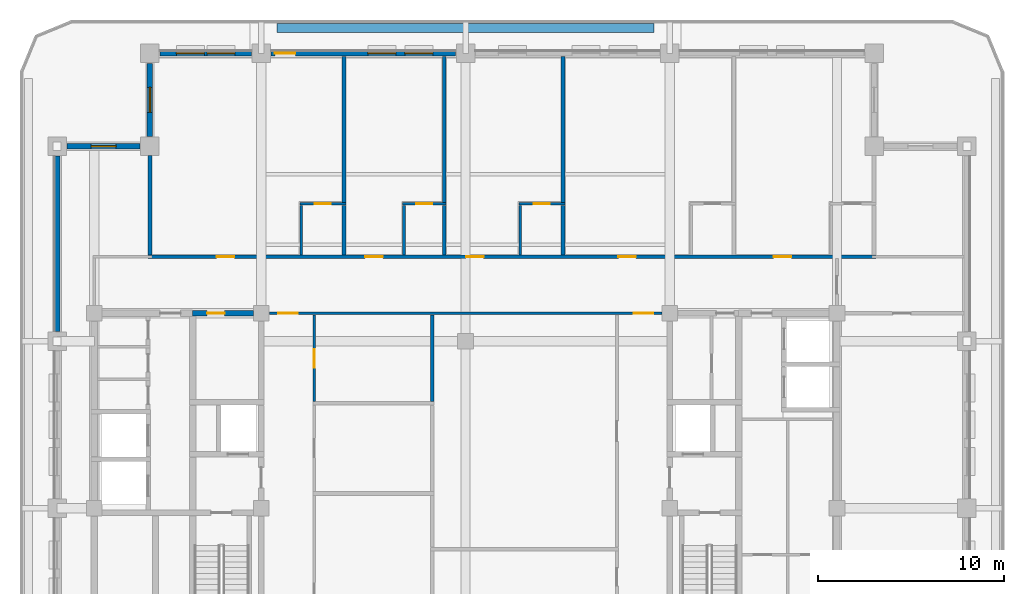
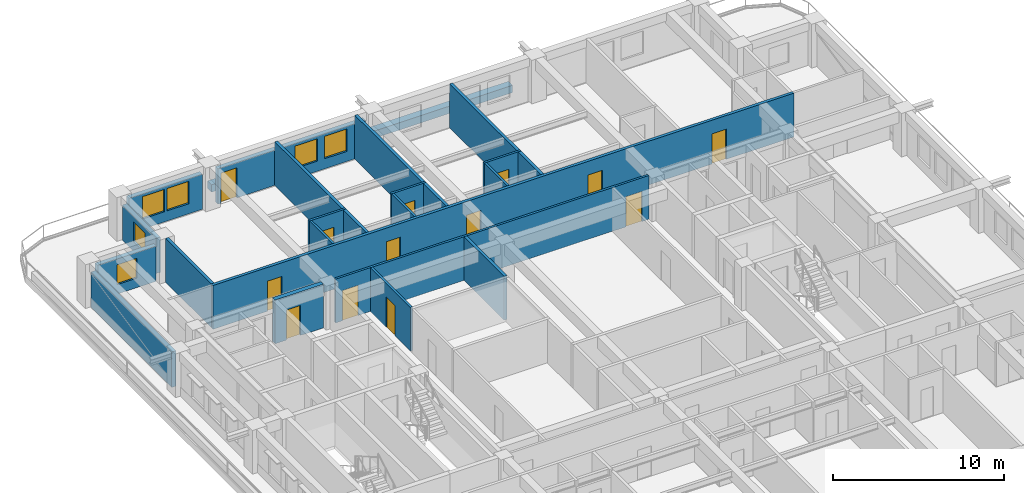
# One storey, part 6 of 15: 24 walls, 13 doors, 6 windows, 19 openings.
"""IFC4 building model written with IfcOpenShell, lengths in metres."""

from ifc_helpers import new_model, si_unit, direction, frame, frame_2d, origin, place, context, subcontext, project, spatial, rectangle, extrude, material, layer, layer_set, type_object, element, fill, save


model = new_model("IFC4")

# Units and contexts
model_context = context("Model", 3, precision=1e-05, world=origin(), true_north=direction((0.0, 1.0)))
body_context = subcontext(model_context, "Body", "Model", "MODEL_VIEW")
ifc_project = project(units=[si_unit("LENGTHUNIT", "METRE"), si_unit("AREAUNIT", "SQUARE_METRE"), si_unit("VOLUMEUNIT", "CUBIC_METRE"), si_unit("PLANEANGLEUNIT", "RADIAN"), si_unit("MASSUNIT", "GRAM", prefix="KILO")], contexts=[model_context])

# Site, building, storey
site_placement = place(None, origin())
site = spatial("IfcSite", under=ifc_project, at=site_placement, CompositionType="ELEMENT")
building_placement = place(site_placement, origin())
building = spatial("IfcBuilding", under=site, at=building_placement, Name="Zulmaris Gate Convention Tower", CompositionType="ELEMENT")
storey_placement = place(building_placement, frame((0.0, 0.0, 172.85986328125)))
storey = spatial("IfcBuildingStorey", under=building, at=storey_placement, Name="L44", CompositionType="ELEMENT", Elevation=172.85986328125)

# Wall, opening, door
ifc_material_1 = material(Name="Concrete C50/60", Category="concrete")
ifc_layer_1 = layer(ifc_material_1, 0.300048828125, Name="Concrete C50/60")
ifc_layer_set_1 = layer_set([ifc_layer_1], Name="Concrete C50/60")
wall_type_1 = type_object("IfcWallType", Name="CORE-300", PredefinedType="SHEAR", material=ifc_layer_set_1)
wall_1_placement = place(storey_placement, frame((-14.699951171875, 10.5, 0.0), z_axis=(0.0, 0.0, 1.0), x_axis=(1.0, 0.0, 0.0)))
wall_1 = element("IfcWall", 1, at=wall_1_placement, inside=storey, type_object=wall_type_1, Name="WL-L44-016", PredefinedType="SHEAR", context=body_context, shape_type="SweptSolid", body=[
    extrude(rectangle(XDim=3.27099609375, YDim=0.300048828125, at=frame_2d((1.635498046875, 0.0))), origin(), (0.0, 0.0, 1.0), 3.125),
])
opening_1_placement = place(wall_1_placement, frame((0.77490234375, 0.0, 0.0)))
opening_1 = element("IfcOpeningElement", 2, at=opening_1_placement, cuts=wall_1, Name="Opening D-11", PredefinedType="OPENING", context=body_context, shape_type="SweptSolid", body=[
    extrude(rectangle(XDim=0.949951171875, YDim=2.14990234375, at=frame_2d((0.47509765625, 1.074951171875))), frame((0.0, 0.16015625, 0.0), z_axis=(0.0, -1.0, 0.0), x_axis=(1.0, 0.0, 0.0)), (0.0, 0.0, 1.0), 0.320068359375),
])
ifc_material_2 = material(Name="Fire-Rated Timber", Category="wood")
door_type_1 = type_object("IfcDoorType", Name="DR-950-FD", OperationType="NOTDEFINED", PredefinedType="DOOR", material=ifc_material_2)
door_1_placement = place(opening_1_placement, origin())
door_1 = element("IfcDoor", 3, at=door_1_placement, inside=storey, type_object=door_type_1, Name="L44 Core Archive Door 07", OperationType="SINGLE_SWING_RIGHT", OverallHeight=2.14990234375, OverallWidth=0.949951171875, PredefinedType="DOOR", context=body_context, shape_type="SweptSolid", body=[
    extrude(rectangle(XDim=0.949951171875, YDim=2.14990234375, at=frame_2d((0.47509765625, 1.074951171875))), frame((0.0, 0.02490234375, 0.0), z_axis=(0.0, -1.0, 0.0), x_axis=(1.0, 0.0, 0.0)), (0.0, 0.0, 1.0), 0.050048828125),
])
fill(opening_1, door_1)

# Wall, openings, doors
ifc_material_3 = material(Name="Gypsum Metal Stud Partition")
ifc_layer_2 = layer(ifc_material_3, 0.14990234375, Name="Gypsum Metal Stud Partition")
ifc_layer_set_2 = layer_set([ifc_layer_2], Name="Gypsum Metal Stud Partition")
wall_type_2 = type_object("IfcWallType", Name="PART-150", PredefinedType="PARTITIONING", material=ifc_layer_set_2)
wall_2_placement = place(storey_placement, frame((-10.569091796875, 10.5, 0.0), z_axis=(0.0, 0.0, 1.0), x_axis=(1.0, 0.0, 0.0)))
wall_2 = element("IfcWall", 4, at=wall_2_placement, inside=storey, type_object=wall_type_2, Name="WL-L44-036", PredefinedType="PARTITIONING", context=body_context, shape_type="SweptSolid", body=[
    extrude(rectangle(XDim=21.13818359375, YDim=0.14990234375, at=frame_2d((10.569091796875, 0.0))), origin(), (0.0, 0.0, 1.0), 3.125),
])
opening_2_placement = place(wall_2_placement, frame((0.47412109375, 0.0, 0.0)))
opening_2 = element("IfcOpeningElement", 5, at=opening_2_placement, cuts=wall_2, Name="Opening D-09", PredefinedType="OPENING", context=body_context, shape_type="SweptSolid", body=[
    extrude(rectangle(XDim=1.050048828125, YDim=2.14990234375, at=frame_2d((0.52490234375, 1.074951171875))), frame((0.0, 0.0849609375, 0.0), z_axis=(0.0, -1.0, 0.0), x_axis=(1.0, 0.0, 0.0)), (0.0, 0.0, 1.0), 0.169921875),
])
opening_3_placement = place(wall_2_placement, frame((19.614013671875, 0.0, 0.0)))
opening_3 = element("IfcOpeningElement", 6, at=opening_3_placement, cuts=wall_2, Name="Opening D-09", PredefinedType="OPENING", context=body_context, shape_type="SweptSolid", body=[
    extrude(rectangle(XDim=1.050048828125, YDim=2.14990234375, at=frame_2d((0.52490234375, 1.074951171875))), frame((0.0, 0.0849609375, 0.0), z_axis=(0.0, -1.0, 0.0), x_axis=(1.0, 0.0, 0.0)), (0.0, 0.0, 1.0), 0.169921875),
])
ifc_material_4 = material(Name="Fire-Rated Steel", Category="steel")
door_type_2 = type_object("IfcDoorType", Name="DR-1050-FD", OperationType="NOTDEFINED", PredefinedType="DOOR", material=ifc_material_4)
door_2_placement = place(opening_2_placement, origin())
door_2 = element("IfcDoor", 7, at=door_2_placement, inside=storey, type_object=door_type_2, Name="L44 NW Hotel Loop Door 24", OperationType="SINGLE_SWING_LEFT", OverallHeight=2.14990234375, OverallWidth=1.050048828125, PredefinedType="DOOR", context=body_context, shape_type="SweptSolid", body=[
    extrude(rectangle(XDim=1.050048828125, YDim=2.14990234375, at=frame_2d((0.52490234375, 1.074951171875))), frame((0.0, 0.02490234375, 0.0), z_axis=(0.0, -1.0, 0.0), x_axis=(1.0, 0.0, 0.0)), (0.0, 0.0, 1.0), 0.050048828125),
])
fill(opening_2, door_2)
door_3_placement = place(opening_3_placement, origin())
door_3 = element("IfcDoor", 8, at=door_3_placement, inside=storey, type_object=door_type_2, Name="L44 NE Hotel Loop Door 26", OperationType="SINGLE_SWING_LEFT", OverallHeight=2.14990234375, OverallWidth=1.050048828125, PredefinedType="DOOR", context=body_context, shape_type="SweptSolid", body=[
    extrude(rectangle(XDim=1.050048828125, YDim=2.14990234375, at=frame_2d((0.52490234375, 1.074951171875))), frame((0.0, 0.02490234375, 0.0), z_axis=(0.0, -1.0, 0.0), x_axis=(1.0, 0.0, 0.0)), (0.0, 0.0, 1.0), 0.050048828125),
])
fill(opening_3, door_3)

# Wall, opening, door
wall_3_placement = place(storey_placement, frame((-8.925048828125, 16.39990234375, 0.0), z_axis=(0.0, 0.0, 1.0), x_axis=(1.0, 0.0, 0.0)))
wall_3 = element("IfcWall", 9, at=wall_3_placement, inside=storey, type_object=wall_type_2, Name="WL-L44-041", PredefinedType="PARTITIONING", context=body_context, shape_type="SweptSolid", body=[
    extrude(rectangle(XDim=2.47509765625, YDim=0.14990234375, at=frame_2d((1.237548828125, 0.0))), origin(), (0.0, 0.0, 1.0), 3.125),
])
opening_4_placement = place(wall_3_placement, frame((0.800048828125, 0.0, 0.0)))
opening_4 = element("IfcOpeningElement", 10, at=opening_4_placement, cuts=wall_3, Name="Opening D-17", PredefinedType="OPENING", context=body_context, shape_type="SweptSolid", body=[
    extrude(rectangle(XDim=0.85009765625, YDim=2.10009765625, at=frame_2d((0.425048828125, 1.050048828125))), frame((0.0, 0.0849609375, 0.0), z_axis=(0.0, -1.0, 0.0), x_axis=(1.0, 0.0, 0.0)), (0.0, 0.0, 1.0), 0.169921875),
])
ifc_material_5 = material(Name="Moisture-Resistant Hardwood Timber", Category="wood")
door_type_3 = type_object("IfcDoorType", Name="DR-850", OperationType="NOTDEFINED", PredefinedType="DOOR", material=ifc_material_5)
door_4_placement = place(opening_4_placement, origin())
door_4 = element("IfcDoor", 11, at=door_4_placement, inside=storey, type_object=door_type_3, Name="L44 En-Suite Door 29", OperationType="SINGLE_SWING_RIGHT", OverallHeight=2.10009765625, OverallWidth=0.85009765625, PredefinedType="DOOR", context=body_context, shape_type="SweptSolid", body=[
    extrude(rectangle(XDim=0.85009765625, YDim=2.10009765625, at=frame_2d((0.425048828125, 1.050048828125))), frame((0.0, 0.02490234375, 0.0), z_axis=(0.0, -1.0, 0.0), x_axis=(1.0, 0.0, 0.0)), (0.0, 0.0, 1.0), 0.050048828125),
])
fill(opening_4, door_4)

wall_4_placement = place(storey_placement, frame((-3.385009765625, 16.39990234375, 0.0), z_axis=(0.0, 0.0, 1.0), x_axis=(1.0, 0.0, 0.0)))
wall_4 = element("IfcWall", 12, at=wall_4_placement, inside=storey, type_object=wall_type_2, Name="WL-L44-042", PredefinedType="PARTITIONING", context=body_context, shape_type="SweptSolid", body=[
    extrude(rectangle(XDim=2.3349609375, YDim=0.14990234375, at=frame_2d((1.16748046875, 0.0))), origin(), (0.0, 0.0, 1.0), 3.125),
])
opening_5_placement = place(wall_4_placement, frame((0.72998046875, 0.0, 0.0)))
opening_5 = element("IfcOpeningElement", 13, at=opening_5_placement, cuts=wall_4, Name="Opening D-17", PredefinedType="OPENING", context=body_context, shape_type="SweptSolid", body=[
    extrude(rectangle(XDim=0.85009765625, YDim=2.10009765625, at=frame_2d((0.425048828125, 1.050048828125))), frame((0.0, 0.0849609375, 0.0), z_axis=(0.0, -1.0, 0.0), x_axis=(1.0, 0.0, 0.0)), (0.0, 0.0, 1.0), 0.169921875),
])
door_5_placement = place(opening_5_placement, origin())
door_5 = element("IfcDoor", 14, at=door_5_placement, inside=storey, type_object=door_type_3, Name="L44 En-Suite Door 31", OperationType="SINGLE_SWING_RIGHT", OverallHeight=2.10009765625, OverallWidth=0.85009765625, PredefinedType="DOOR", context=body_context, shape_type="SweptSolid", body=[
    extrude(rectangle(XDim=0.85009765625, YDim=2.10009765625, at=frame_2d((0.425048828125, 1.050048828125))), frame((0.0, 0.02490234375, 0.0), z_axis=(0.0, -1.0, 0.0), x_axis=(1.0, 0.0, 0.0)), (0.0, 0.0, 1.0), 0.050048828125),
])
fill(opening_5, door_5)

wall_5_placement = place(storey_placement, frame((2.875, 16.39990234375, 0.0), z_axis=(0.0, 0.0, 1.0), x_axis=(1.0, 0.0, 0.0)))
wall_5 = element("IfcWall", 15, at=wall_5_placement, inside=storey, type_object=wall_type_2, Name="WL-L44-043", PredefinedType="PARTITIONING", context=body_context, shape_type="SweptSolid", body=[
    extrude(rectangle(XDim=2.47509765625, YDim=0.14990234375, at=frame_2d((1.237548828125, 0.0))), origin(), (0.0, 0.0, 1.0), 3.125),
])
opening_6_placement = place(wall_5_placement, frame((0.800048828125, 0.0, 0.0)))
opening_6 = element("IfcOpeningElement", 16, at=opening_6_placement, cuts=wall_5, Name="Opening D-17", PredefinedType="OPENING", context=body_context, shape_type="SweptSolid", body=[
    extrude(rectangle(XDim=0.85009765625, YDim=2.10009765625, at=frame_2d((0.425048828125, 1.050048828125))), frame((0.0, 0.0849609375, 0.0), z_axis=(0.0, -1.0, 0.0), x_axis=(1.0, 0.0, 0.0)), (0.0, 0.0, 1.0), 0.169921875),
])
door_6_placement = place(opening_6_placement, origin())
door_6 = element("IfcDoor", 17, at=door_6_placement, inside=storey, type_object=door_type_3, Name="L44 En-Suite Door 33", OperationType="SINGLE_SWING_RIGHT", OverallHeight=2.10009765625, OverallWidth=0.85009765625, PredefinedType="DOOR", context=body_context, shape_type="SweptSolid", body=[
    extrude(rectangle(XDim=0.85009765625, YDim=2.10009765625, at=frame_2d((0.425048828125, 1.050048828125))), frame((0.0, 0.02490234375, 0.0), z_axis=(0.0, -1.0, 0.0), x_axis=(1.0, 0.0, 0.0)), (0.0, 0.0, 1.0), 0.050048828125),
])
fill(opening_6, door_6)

# Wall
wall_6_placement = place(storey_placement, frame((-8.85009765625, 13.653076171875, 0.0), z_axis=(0.0, 0.0, 1.0), x_axis=(0.0, 1.0, 0.0)))
element("IfcWall", 18, at=wall_6_placement, inside=storey, type_object=wall_type_2, Name="WL-L44-085", PredefinedType="PARTITIONING", context=body_context, shape_type="SweptSolid", body=[
    extrude(rectangle(XDim=2.6689453125, YDim=0.14990234375, at=frame_2d((1.33447265625, 0.0))), origin(), (0.0, 0.0, 1.0), 3.125),
])

# Wall, opening, door
wall_7_placement = place(storey_placement, frame((-8.14990234375, 5.7529296875, 0.0), z_axis=(0.0, 0.0, 1.0), x_axis=(0.0, 1.0, 0.0)))
wall_7 = element("IfcWall", 19, at=wall_7_placement, inside=storey, type_object=wall_type_2, Name="WL-L44-089", PredefinedType="PARTITIONING", context=body_context, shape_type="SweptSolid", body=[
    extrude(rectangle(XDim=4.669189453125, YDim=0.14990234375, at=frame_2d((2.33447265625, 0.0))), origin(), (0.0, 0.0, 1.0), 3.125),
])
opening_7_placement = place(wall_7_placement, frame((1.81689453125, 0.0, 0.0)))
opening_7 = element("IfcOpeningElement", 20, at=opening_7_placement, cuts=wall_7, Name="Opening D-10", PredefinedType="OPENING", context=body_context, shape_type="SweptSolid", body=[
    extrude(rectangle(XDim=1.0, YDim=2.14990234375, at=frame_2d((0.5, 1.074951171875))), frame((0.0, 0.0849609375, 0.0), z_axis=(0.0, -1.0, 0.0), x_axis=(1.0, 0.0, 0.0)), (0.0, 0.0, 1.0), 0.169921875),
])
door_type_4 = type_object("IfcDoorType", Name="DR-1000-FD", OperationType="NOTDEFINED", PredefinedType="DOOR", material=ifc_material_2)
door_7_placement = place(opening_7_placement, origin())
door_7 = element("IfcDoor", 21, at=door_7_placement, inside=storey, type_object=door_type_4, Name="L44 Club Lounge Door 48", OperationType="SINGLE_SWING_LEFT", OverallHeight=2.14990234375, OverallWidth=1.0, PredefinedType="DOOR", context=body_context, shape_type="SweptSolid", body=[
    extrude(rectangle(XDim=1.0, YDim=2.14990234375, at=frame_2d((0.5, 1.074951171875))), frame((0.0, 0.02490234375, 0.0), z_axis=(0.0, -1.0, 0.0), x_axis=(1.0, 0.0, 0.0)), (0.0, 0.0, 1.0), 0.050048828125),
])
fill(opening_7, door_7)

# Walls
for number, where, z_axis, x_axis, name in (
    (22, (-3.31005859375, 13.653076171875, 0.0), (0.0, 0.0, 1.0), (0.0, 1.0, 0.0), "WL-L44-094"),
    (23, (2.949951171875, 13.653076171875, 0.0), (0.0, 0.0, 1.0), (0.0, 1.0, 0.0), "WL-L44-105"),
):
    element("IfcWall", number, at=place(storey_placement, frame(where, z_axis=z_axis, x_axis=x_axis)), inside=storey, type_object=wall_type_2, Name=name, PredefinedType="PARTITIONING", context=body_context, shape_type="SweptSolid", body=[
        extrude(rectangle(XDim=2.6689453125, YDim=0.14990234375, at=frame_2d((1.33447265625, 0.0))), origin(), (0.0, 0.0, 1.0), 3.125),
    ])

# Wall, openings, doors
ifc_material_6 = material(Name="Autoclaved Aerated Concrete Block and Plasterboard", Category="concrete")
ifc_layer_3 = layer(ifc_material_6, 0.199951171875, Name="Autoclaved Aerated Concrete Block and Plasterboard")
ifc_layer_set_3 = layer_set([ifc_layer_3], Name="Autoclaved Aerated Concrete Block and Plasterboard")
wall_type_3 = type_object("IfcWallType", Name="PART-200", PredefinedType="PARTITIONING", material=ifc_layer_set_3)
wall_8_placement = place(storey_placement, frame((-17.10009765625, 13.550048828125, 0.0), z_axis=(0.0, 0.0, 1.0), x_axis=(1.0, 0.0, 0.0)))
wall_8 = element("IfcWall", 24, at=wall_8_placement, inside=storey, type_object=wall_type_3, Name="WL-L44-039", PredefinedType="PARTITIONING", context=body_context, shape_type="SweptSolid", body=[
    extrude(rectangle(XDim=39.2001953125, YDim=0.199951171875, at=frame_2d((19.60009765625, 0.0))), origin(), (0.0, 0.0, 1.0), 3.125),
])
opening_8_placement = place(wall_8_placement, frame((3.695068359375, 0.0, 0.0)))
opening_8 = element("IfcOpeningElement", 25, at=opening_8_placement, cuts=wall_8, Name="Opening D-11", PredefinedType="OPENING", context=body_context, shape_type="SweptSolid", body=[
    extrude(rectangle(XDim=0.949951171875, YDim=2.14990234375, at=frame_2d((0.47509765625, 1.074951171875))), frame((0.0, 0.10986328125, 0.0), z_axis=(0.0, -1.0, 0.0), x_axis=(1.0, 0.0, 0.0)), (0.0, 0.0, 1.0), 0.219970703125),
])
opening_9_placement = place(wall_8_placement, frame((11.695068359375, 0.0, 0.0)))
opening_9 = element("IfcOpeningElement", 26, at=opening_9_placement, cuts=wall_8, Name="Opening D-11", PredefinedType="OPENING", context=body_context, shape_type="SweptSolid", body=[
    extrude(rectangle(XDim=0.949951171875, YDim=2.14990234375, at=frame_2d((0.47509765625, 1.074951171875))), frame((0.0, 0.10986328125, 0.0), z_axis=(0.0, -1.0, 0.0), x_axis=(1.0, 0.0, 0.0)), (0.0, 0.0, 1.0), 0.219970703125),
])
opening_10_placement = place(wall_8_placement, frame((17.125, 0.0, 0.0)))
opening_10 = element("IfcOpeningElement", 27, at=opening_10_placement, cuts=wall_8, Name="Opening D-11", PredefinedType="OPENING", context=body_context, shape_type="SweptSolid", body=[
    extrude(rectangle(XDim=0.949951171875, YDim=2.14990234375, at=frame_2d((0.47509765625, 1.074951171875))), frame((0.0, 0.10986328125, 0.0), z_axis=(0.0, -1.0, 0.0), x_axis=(1.0, 0.0, 0.0)), (0.0, 0.0, 1.0), 0.219970703125),
])
opening_11_placement = place(wall_8_placement, frame((25.324951171875, 0.0, 0.0)))
opening_11 = element("IfcOpeningElement", 28, at=opening_11_placement, cuts=wall_8, Name="Opening D-11", PredefinedType="OPENING", context=body_context, shape_type="SweptSolid", body=[
    extrude(rectangle(XDim=0.949951171875, YDim=2.14990234375, at=frame_2d((0.47509765625, 1.074951171875))), frame((0.0, 0.10986328125, 0.0), z_axis=(0.0, -1.0, 0.0), x_axis=(1.0, 0.0, 0.0)), (0.0, 0.0, 1.0), 0.219970703125),
])
opening_12_placement = place(wall_8_placement, frame((33.695068359375, 0.0, 0.0)))
opening_12 = element("IfcOpeningElement", 29, at=opening_12_placement, cuts=wall_8, Name="Opening D-11", PredefinedType="OPENING", context=body_context, shape_type="SweptSolid", body=[
    extrude(rectangle(XDim=0.949951171875, YDim=2.14990234375, at=frame_2d((0.47509765625, 1.074951171875))), frame((0.0, 0.10986328125, 0.0), z_axis=(0.0, -1.0, 0.0), x_axis=(1.0, 0.0, 0.0)), (0.0, 0.0, 1.0), 0.219970703125),
])
door_8_placement = place(opening_8_placement, origin())
door_8 = element("IfcDoor", 30, at=door_8_placement, inside=storey, type_object=door_type_1, Name="L44 Hotel Diplomatic Suite Door 28", OperationType="SINGLE_SWING_LEFT", OverallHeight=2.14990234375, OverallWidth=0.949951171875, PredefinedType="DOOR", context=body_context, shape_type="SweptSolid", body=[
    extrude(rectangle(XDim=0.949951171875, YDim=2.14990234375, at=frame_2d((0.47509765625, 1.074951171875))), frame((0.0, 0.02490234375, 0.0), z_axis=(0.0, -1.0, 0.0), x_axis=(1.0, 0.0, 0.0)), (0.0, 0.0, 1.0), 0.050048828125),
])
fill(opening_8, door_8)
door_9_placement = place(opening_9_placement, origin())
door_9 = element("IfcDoor", 31, at=door_9_placement, inside=storey, type_object=door_type_1, Name="L44 Hotel Guest Room Door 30", OperationType="SINGLE_SWING_LEFT", OverallHeight=2.14990234375, OverallWidth=0.949951171875, PredefinedType="DOOR", context=body_context, shape_type="SweptSolid", body=[
    extrude(rectangle(XDim=0.949951171875, YDim=2.14990234375, at=frame_2d((0.47509765625, 1.074951171875))), frame((0.0, 0.02490234375, 0.0), z_axis=(0.0, -1.0, 0.0), x_axis=(1.0, 0.0, 0.0)), (0.0, 0.0, 1.0), 0.050048828125),
])
fill(opening_9, door_9)
door_10_placement = place(opening_10_placement, origin())
door_10 = element("IfcDoor", 32, at=door_10_placement, inside=storey, type_object=door_type_1, Name="L44 Hotel Diplomatic Suite Door 32", OperationType="SINGLE_SWING_LEFT", OverallHeight=2.14990234375, OverallWidth=0.949951171875, PredefinedType="DOOR", context=body_context, shape_type="SweptSolid", body=[
    extrude(rectangle(XDim=0.949951171875, YDim=2.14990234375, at=frame_2d((0.47509765625, 1.074951171875))), frame((0.0, 0.02490234375, 0.0), z_axis=(0.0, -1.0, 0.0), x_axis=(1.0, 0.0, 0.0)), (0.0, 0.0, 1.0), 0.050048828125),
])
fill(opening_10, door_10)
door_11_placement = place(opening_11_placement, origin())
door_11 = element("IfcDoor", 33, at=door_11_placement, inside=storey, type_object=door_type_1, Name="L44 Hotel Diplomatic Suite Door 34", OperationType="SINGLE_SWING_LEFT", OverallHeight=2.14990234375, OverallWidth=0.949951171875, PredefinedType="DOOR", context=body_context, shape_type="SweptSolid", body=[
    extrude(rectangle(XDim=0.949951171875, YDim=2.14990234375, at=frame_2d((0.47509765625, 1.074951171875))), frame((0.0, 0.02490234375, 0.0), z_axis=(0.0, -1.0, 0.0), x_axis=(1.0, 0.0, 0.0)), (0.0, 0.0, 1.0), 0.050048828125),
])
fill(opening_11, door_11)
door_12_placement = place(opening_12_placement, origin())
door_12 = element("IfcDoor", 34, at=door_12_placement, inside=storey, type_object=door_type_1, Name="L44 Hotel Diplomatic Suite Door 36", OperationType="SINGLE_SWING_LEFT", OverallHeight=2.14990234375, OverallWidth=0.949951171875, PredefinedType="DOOR", context=body_context, shape_type="SweptSolid", body=[
    extrude(rectangle(XDim=0.949951171875, YDim=2.14990234375, at=frame_2d((0.47509765625, 1.074951171875))), frame((0.0, 0.02490234375, 0.0), z_axis=(0.0, -1.0, 0.0), x_axis=(1.0, 0.0, 0.0)), (0.0, 0.0, 1.0), 0.050048828125),
])
fill(opening_12, door_12)

# Walls
wall_9_placement = place(storey_placement, frame((-17.0, 13.653076171875, 0.0), z_axis=(0.0, 0.0, 1.0), x_axis=(0.0, 1.0, 0.0)))
element("IfcWall", 35, at=wall_9_placement, inside=storey, type_object=wall_type_3, Name="WL-L44-084", PredefinedType="PARTITIONING", context=body_context, shape_type="SweptSolid", body=[
    extrude(rectangle(XDim=5.3408203125, YDim=0.199951171875, at=frame_2d((2.67041015625, 0.0))), origin(), (0.0, 0.0, 1.0), 3.125),
])
wall_10_placement = place(storey_placement, frame((-6.550048828125, 13.653076171875, 0.0), z_axis=(0.0, 0.0, 1.0), x_axis=(0.0, 1.0, 0.0)))
element("IfcWall", 36, at=wall_10_placement, inside=storey, type_object=wall_type_3, Name="WL-L44-090", PredefinedType="PARTITIONING", context=body_context, shape_type="SweptSolid", body=[
    extrude(rectangle(XDim=2.6689453125, YDim=0.199951171875, at=frame_2d((1.33447265625, 0.0))), origin(), (0.0, 0.0, 1.0), 3.125),
])
wall_11_placement = place(storey_placement, frame((-6.550048828125, 16.47802734375, 0.0), z_axis=(0.0, 0.0, 1.0), x_axis=(0.0, 1.0, 0.0)))
element("IfcWall", 37, at=wall_11_placement, inside=storey, type_object=wall_type_3, Name="WL-L44-091", PredefinedType="PARTITIONING", context=body_context, shape_type="SweptSolid", body=[
    extrude(rectangle(XDim=7.85693359375, YDim=0.199951171875, at=frame_2d((3.928466796875, 0.0))), origin(), (0.0, 0.0, 1.0), 3.125),
])
wall_12_placement = place(storey_placement, frame((-1.800048828125, 5.7529296875, 0.0), z_axis=(0.0, 0.0, 1.0), x_axis=(0.0, 1.0, 0.0)))
element("IfcWall", 38, at=wall_12_placement, inside=storey, type_object=wall_type_3, Name="WL-L44-099", PredefinedType="PARTITIONING", context=body_context, shape_type="SweptSolid", body=[
    extrude(rectangle(XDim=4.669189453125, YDim=0.199951171875, at=frame_2d((2.33447265625, 0.0))), origin(), (0.0, 0.0, 1.0), 3.125),
])
wall_13_placement = place(storey_placement, frame((-1.14990234375, 13.653076171875, 0.0), z_axis=(0.0, 0.0, 1.0), x_axis=(0.0, 1.0, 0.0)))
element("IfcWall", 39, at=wall_13_placement, inside=storey, type_object=wall_type_3, Name="WL-L44-100", PredefinedType="PARTITIONING", context=body_context, shape_type="SweptSolid", body=[
    extrude(rectangle(XDim=2.6689453125, YDim=0.199951171875, at=frame_2d((1.33447265625, 0.0))), origin(), (0.0, 0.0, 1.0), 3.125),
])
wall_14_placement = place(storey_placement, frame((-1.14990234375, 16.47802734375, 0.0), z_axis=(0.0, 0.0, 1.0), x_axis=(0.0, 1.0, 0.0)))
element("IfcWall", 40, at=wall_14_placement, inside=storey, type_object=wall_type_3, Name="WL-L44-101", PredefinedType="PARTITIONING", context=body_context, shape_type="SweptSolid", body=[
    extrude(rectangle(XDim=7.85693359375, YDim=0.199951171875, at=frame_2d((3.928466796875, 0.0))), origin(), (0.0, 0.0, 1.0), 3.125),
])
wall_15_placement = place(storey_placement, frame((5.25, 13.653076171875, 0.0), z_axis=(0.0, 0.0, 1.0), x_axis=(0.0, 1.0, 0.0)))
element("IfcWall", 41, at=wall_15_placement, inside=storey, type_object=wall_type_3, Name="WL-L44-107", PredefinedType="PARTITIONING", context=body_context, shape_type="SweptSolid", body=[
    extrude(rectangle(XDim=2.6689453125, YDim=0.199951171875, at=frame_2d((1.33447265625, 0.0))), origin(), (0.0, 0.0, 1.0), 3.125),
])
wall_16_placement = place(storey_placement, frame((5.25, 16.47802734375, 0.0), z_axis=(0.0, 0.0, 1.0), x_axis=(0.0, 1.0, 0.0)))
element("IfcWall", 42, at=wall_16_placement, inside=storey, type_object=wall_type_3, Name="WL-L44-108", PredefinedType="PARTITIONING", context=body_context, shape_type="SweptSolid", body=[
    extrude(rectangle(XDim=7.85693359375, YDim=0.199951171875, at=frame_2d((3.928466796875, 0.0))), origin(), (0.0, 0.0, 1.0), 3.125),
])
ifc_material_7 = material(Name="Botanical Green Glazed Precast Concrete C40/50", Category="concrete")
ifc_layer_4 = layer(ifc_material_7, 0.419921875, Name="Botanical Green Glazed Precast Concrete C40/50")
ifc_layer_set_4 = layer_set([ifc_layer_4], Name="Botanical Green Glazed Precast Concrete C40/50")
wall_type_4 = type_object("IfcWallType", Name="PLANTER-CURB-200", PredefinedType="PARAPET", material=ifc_layer_set_4)
wall_17_placement = place(storey_placement, frame((-10.14990234375, 25.8798828125, -0.0400390625), z_axis=(0.0, 0.0, 1.0), x_axis=(1.0, 0.0, 0.0)))
element("IfcWall", 43, at=wall_17_placement, inside=storey, type_object=wall_type_4, Name="L44 Full-Length Balcony Tree Planter Trough", PredefinedType="PARAPET", context=body_context, shape_type="SweptSolid", body=[
    extrude(rectangle(XDim=20.2998046875, YDim=0.47998046875, at=frame_2d((10.14990234375, 0.0))), origin(), (0.0, 0.0, 1.0), 0.52001953125),
])

# Wall, opening, window
ifc_material_8 = material(Name="Precast concrete C40/50", Category="concrete")
ifc_layer_5 = layer(ifc_material_8, 0.300048828125, Name="Precast concrete C40/50")
ifc_layer_set_5 = layer_set([ifc_layer_5], Name="Precast concrete C40/50")
wall_type_5 = type_object("IfcWallType", Name="PRECAST-PIER-300", PredefinedType="STANDARD", material=ifc_layer_set_5)
wall_18_placement = place(storey_placement, frame((-17.0, 23.969970703125, 0.0), z_axis=(0.0, 0.0, 1.0), x_axis=(0.0, -1.0, 0.0)))
wall_18 = element("IfcWall", 44, at=wall_18_placement, inside=storey, type_object=wall_type_5, Name="EW-L44-NOTCH-NW1_0", PredefinedType="STANDARD", context=body_context, shape_type="SweptSolid", body=[
    extrude(rectangle(XDim=3.93994140625, YDim=0.300048828125, at=frame_2d((1.969970703125, 0.0))), origin(), (0.0, 0.0, 1.0), 2.516845703125),
])
opening_13_placement = place(wall_18_placement, frame((1.294921875, 0.0, 0.679931640625)))
opening_13 = element("IfcOpeningElement", 45, at=opening_13_placement, cuts=wall_18, Name="Opening W-10", PredefinedType="OPENING", context=body_context, shape_type="SweptSolid", body=[
    extrude(rectangle(XDim=1.35009765625, YDim=1.419921875, at=frame_2d((0.675048828125, 0.7099609375))), frame((0.0, 0.16015625, 0.0), z_axis=(0.0, -1.0, 0.0), x_axis=(1.0, 0.0, 0.0)), (0.0, 0.0, 1.0), 0.320068359375),
])
ifc_material_9 = material(Name="Low-E Laminated Double Glazing in Aluminium Frame", Category="aluminium")
window_type_1 = type_object("IfcWindowType", Name="WIN-1350x2000", PartitioningType="SINGLE_PANEL", PredefinedType="WINDOW", material=ifc_material_9)
window_1_placement = place(opening_13_placement, origin())
window_1 = element("IfcWindow", 46, at=window_1_placement, inside=storey, type_object=window_type_1, Name="WN-EW-L44-NOTCH-NW1_0", OverallHeight=1.419921875, OverallWidth=1.35009765625, PartitioningType="SINGLE_PANEL", PredefinedType="WINDOW", context=body_context, shape_type="SweptSolid", body=[
    extrude(rectangle(XDim=1.35009765625, YDim=1.419921875, at=frame_2d((0.675048828125, 0.7099609375))), frame((0.0, 0.030029296875, 0.0), z_axis=(0.0, -1.0, 0.0), x_axis=(1.0, 0.0, 0.0)), (0.0, 0.0, 1.0), 0.06005859375),
])
fill(opening_13, window_1)

wall_19_placement = place(storey_placement, frame((-17.530029296875, 19.5, 0.0), z_axis=(0.0, 0.0, 1.0), x_axis=(-1.0, 0.0, 0.0)))
wall_19 = element("IfcWall", 47, at=wall_19_placement, inside=storey, type_object=wall_type_5, Name="EW-L44-NOTCH-NW2_0", PredefinedType="STANDARD", context=body_context, shape_type="SweptSolid", body=[
    extrude(rectangle(XDim=3.93994140625, YDim=0.300048828125, at=frame_2d((1.969970703125, 0.0))), origin(), (0.0, 0.0, 1.0), 2.516845703125),
])
opening_14_placement = place(wall_19_placement, frame((1.294921875, 0.0, 0.679931640625)))
opening_14 = element("IfcOpeningElement", 48, at=opening_14_placement, cuts=wall_19, Name="Opening W-10", PredefinedType="OPENING", context=body_context, shape_type="SweptSolid", body=[
    extrude(rectangle(XDim=1.35009765625, YDim=1.419921875, at=frame_2d((0.675048828125, 0.7099609375))), frame((0.0, 0.16015625, 0.0), z_axis=(0.0, -1.0, 0.0), x_axis=(1.0, 0.0, 0.0)), (0.0, 0.0, 1.0), 0.320068359375),
])
window_2_placement = place(opening_14_placement, origin())
window_2 = element("IfcWindow", 49, at=window_2_placement, inside=storey, type_object=window_type_1, Name="WN-EW-L44-NOTCH-NW2_0", OverallHeight=1.419921875, OverallWidth=1.35009765625, PartitioningType="SINGLE_PANEL", PredefinedType="WINDOW", context=body_context, shape_type="SweptSolid", body=[
    extrude(rectangle(XDim=1.35009765625, YDim=1.419921875, at=frame_2d((0.675048828125, 0.7099609375))), frame((0.0, 0.030029296875, 0.0), z_axis=(0.0, -1.0, 0.0), x_axis=(1.0, 0.0, 0.0)), (0.0, 0.0, 1.0), 0.06005859375),
])
fill(opening_14, window_2)

# Wall, openings, windows
wall_20_placement = place(storey_placement, frame((-11.530029296875, 24.5, 0.0), z_axis=(0.0, 0.0, 1.0), x_axis=(-1.0, 0.0, 0.0)))
wall_20 = element("IfcWall", 50, at=wall_20_placement, inside=storey, type_object=wall_type_5, Name="EW-L44-N-0_0", PredefinedType="STANDARD", context=body_context, shape_type="SweptSolid", body=[
    extrude(rectangle(XDim=4.93994140625, YDim=0.300048828125, at=frame_2d((2.469970703125, 0.0))), origin(), (0.0, 0.0, 1.0), 2.516845703125),
])
opening_15_placement = place(wall_20_placement, frame((0.89697265625, 0.0, 0.719970703125)))
opening_15 = element("IfcOpeningElement", 51, at=opening_15_placement, cuts=wall_20, Name="Opening W-03", PredefinedType="OPENING", context=body_context, shape_type="SweptSolid", body=[
    extrude(rectangle(XDim=1.5, YDim=1.60009765625, at=frame_2d((0.75, 0.800048828125))), frame((0.0, 0.16015625, 0.0), z_axis=(0.0, -1.0, 0.0), x_axis=(1.0, 0.0, 0.0)), (0.0, 0.0, 1.0), 0.320068359375),
])
opening_16_placement = place(wall_20_placement, frame((2.54296875, 0.0, 0.719970703125)))
opening_16 = element("IfcOpeningElement", 52, at=opening_16_placement, cuts=wall_20, Name="Opening W-03", PredefinedType="OPENING", context=body_context, shape_type="SweptSolid", body=[
    extrude(rectangle(XDim=1.5, YDim=1.60009765625, at=frame_2d((0.75, 0.800048828125))), frame((0.0, 0.16015625, 0.0), z_axis=(0.0, -1.0, 0.0), x_axis=(1.0, 0.0, 0.0)), (0.0, 0.0, 1.0), 0.320068359375),
])
window_type_2 = type_object("IfcWindowType", Name="WIN-1500x2100", PartitioningType="SINGLE_PANEL", PredefinedType="WINDOW", material=ifc_material_9)
window_3_placement = place(opening_15_placement, origin())
window_3 = element("IfcWindow", 53, at=window_3_placement, inside=storey, type_object=window_type_2, Name="WN-EW-L44-N-0_0-1", OverallHeight=1.60009765625, OverallWidth=1.5, PartitioningType="SINGLE_PANEL", PredefinedType="WINDOW", context=body_context, shape_type="SweptSolid", body=[
    extrude(rectangle(XDim=1.5, YDim=1.60009765625, at=frame_2d((0.75, 0.800048828125))), frame((0.0, 0.030029296875, 0.0), z_axis=(0.0, -1.0, 0.0), x_axis=(1.0, 0.0, 0.0)), (0.0, 0.0, 1.0), 0.06005859375),
])
fill(opening_15, window_3)
window_4_placement = place(opening_16_placement, origin())
window_4 = element("IfcWindow", 54, at=window_4_placement, inside=storey, type_object=window_type_2, Name="WN-EW-L44-N-0_0-2", OverallHeight=1.60009765625, OverallWidth=1.5, PartitioningType="SINGLE_PANEL", PredefinedType="WINDOW", context=body_context, shape_type="SweptSolid", body=[
    extrude(rectangle(XDim=1.5, YDim=1.60009765625, at=frame_2d((0.75, 0.800048828125))), frame((0.0, 0.030029296875, 0.0), z_axis=(0.0, -1.0, 0.0), x_axis=(1.0, 0.0, 0.0)), (0.0, 0.0, 1.0), 0.06005859375),
])
fill(opening_16, window_4)

# Wall, openings, door, windows
wall_21_placement = place(storey_placement, frame((-0.530029296875, 24.5, 0.0), z_axis=(0.0, 0.0, 1.0), x_axis=(-1.0, 0.0, 0.0)))
wall_21 = element("IfcWall", 55, at=wall_21_placement, inside=storey, type_object=wall_type_5, Name="EW-L44-N-1_0", PredefinedType="STANDARD", context=body_context, shape_type="SweptSolid", body=[
    extrude(rectangle(XDim=9.93994140625, YDim=0.300048828125, at=frame_2d((4.969970703125, 0.0))), origin(), (0.0, 0.0, 1.0), 2.516845703125),
])
opening_17_placement = place(wall_21_placement, frame((8.639892578125, 0.0, 0.0)))
opening_17 = element("IfcOpeningElement", 56, at=opening_17_placement, cuts=wall_21, Name="Opening D-04", PredefinedType="OPENING", context=body_context, shape_type="SweptSolid", body=[
    extrude(rectangle(XDim=1.10009765625, YDim=2.14990234375, at=frame_2d((0.550048828125, 1.074951171875))), frame((0.0, 0.16015625, 0.0), z_axis=(0.0, -1.0, 0.0), x_axis=(1.0, 0.0, 0.0)), (0.0, 0.0, 1.0), 0.320068359375),
])
opening_18_placement = place(wall_21_placement, frame((1.238037109375, 0.0, 0.719970703125)))
opening_18 = element("IfcOpeningElement", 57, at=opening_18_placement, cuts=wall_21, Name="Opening W-03", PredefinedType="OPENING", context=body_context, shape_type="SweptSolid", body=[
    extrude(rectangle(XDim=1.5, YDim=1.60009765625, at=frame_2d((0.75, 0.800048828125))), frame((0.0, 0.16015625, 0.0), z_axis=(0.0, -1.0, 0.0), x_axis=(1.0, 0.0, 0.0)), (0.0, 0.0, 1.0), 0.320068359375),
])
opening_19_placement = place(wall_21_placement, frame((3.22607421875, 0.0, 0.719970703125)))
opening_19 = element("IfcOpeningElement", 58, at=opening_19_placement, cuts=wall_21, Name="Opening W-03", PredefinedType="OPENING", context=body_context, shape_type="SweptSolid", body=[
    extrude(rectangle(XDim=1.5, YDim=1.60009765625, at=frame_2d((0.75, 0.800048828125))), frame((0.0, 0.16015625, 0.0), z_axis=(0.0, -1.0, 0.0), x_axis=(1.0, 0.0, 0.0)), (0.0, 0.0, 1.0), 0.320068359375),
])
ifc_material_10 = material(Name="Anodised Aluminium and Laminated Glass", Category="aluminium")
door_type_5 = type_object("IfcDoorType", Name="ED-1100", OperationType="SINGLE_SWING_RIGHT", PredefinedType="DOOR", material=ifc_material_10)
door_13_placement = place(opening_17_placement, origin())
door_13 = element("IfcDoor", 59, at=door_13_placement, inside=storey, type_object=door_type_5, Name="L44 N Planted Terrace Door", OperationType="SINGLE_SWING_LEFT", OverallHeight=2.14990234375, OverallWidth=1.10009765625, PredefinedType="DOOR", context=body_context, shape_type="SweptSolid", body=[
    extrude(rectangle(XDim=1.10009765625, YDim=2.14990234375, at=frame_2d((0.550048828125, 1.074951171875))), frame((0.0, 0.02490234375, 0.0), z_axis=(0.0, -1.0, 0.0), x_axis=(1.0, 0.0, 0.0)), (0.0, 0.0, 1.0), 0.050048828125),
])
fill(opening_17, door_13)
window_5_placement = place(opening_18_placement, origin())
window_5 = element("IfcWindow", 60, at=window_5_placement, inside=storey, type_object=window_type_2, Name="WN-EW-L44-N-1_0-1", OverallHeight=1.60009765625, OverallWidth=1.5, PartitioningType="SINGLE_PANEL", PredefinedType="WINDOW", context=body_context, shape_type="SweptSolid", body=[
    extrude(rectangle(XDim=1.5, YDim=1.60009765625, at=frame_2d((0.75, 0.800048828125))), frame((0.0, 0.030029296875, 0.0), z_axis=(0.0, -1.0, 0.0), x_axis=(1.0, 0.0, 0.0)), (0.0, 0.0, 1.0), 0.06005859375),
])
fill(opening_18, window_5)
window_6_placement = place(opening_19_placement, origin())
window_6 = element("IfcWindow", 61, at=window_6_placement, inside=storey, type_object=window_type_2, Name="WN-EW-L44-N-1_0-2", OverallHeight=1.60009765625, OverallWidth=1.5, PartitioningType="SINGLE_PANEL", PredefinedType="WINDOW", context=body_context, shape_type="SweptSolid", body=[
    extrude(rectangle(XDim=1.5, YDim=1.60009765625, at=frame_2d((0.75, 0.800048828125))), frame((0.0, 0.030029296875, 0.0), z_axis=(0.0, -1.0, 0.0), x_axis=(1.0, 0.0, 0.0)), (0.0, 0.0, 1.0), 0.06005859375),
])
fill(opening_19, window_6)

# Wall
wall_22_placement = place(storey_placement, frame((-22.0, 18.969970703125, 0.0), z_axis=(0.0, 0.0, 1.0), x_axis=(0.0, -1.0, 0.0)))
element("IfcWall", 62, at=wall_22_placement, inside=storey, type_object=wall_type_5, Name="EW-L44-W-3_0", PredefinedType="STANDARD", context=body_context, shape_type="SweptSolid", body=[
    extrude(rectangle(XDim=9.43994140625, YDim=0.300048828125, at=frame_2d((4.719970703125, 0.0))), origin(), (0.0, 0.0, 1.0), 2.516845703125),
])

save(model, "model.ifc")
